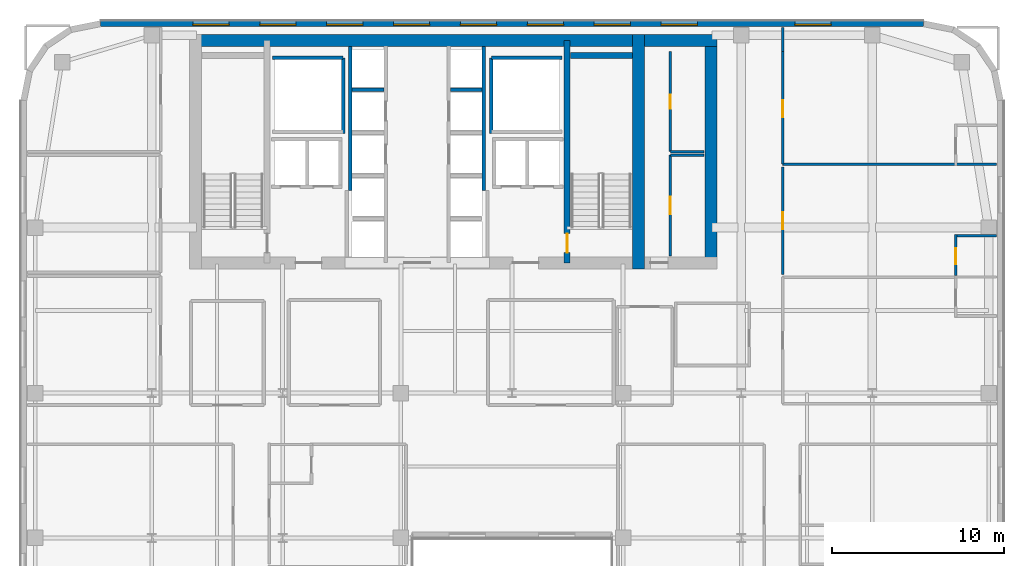
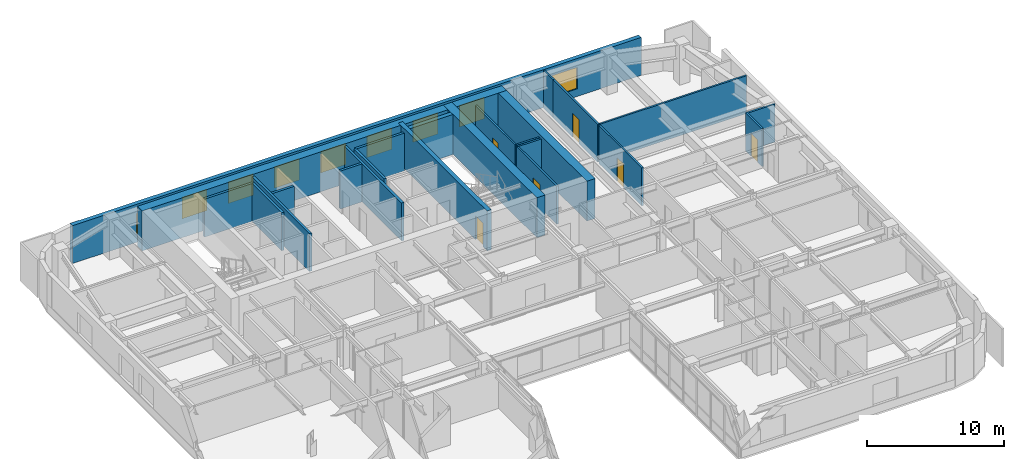
# One storey, part 18 of 24: 25 walls, 9 windows, 6 doors, 15 openings.
"""IFC4 building model written with IfcOpenShell, lengths in metres."""

import ifcopenshell
import ifcopenshell.guid

model = None  # the IFC model being written
_history = None  # IfcOwnerHistory: only IFC2X3 demands one
_inside = {}  # id of a spatial element -> (the spatial element, [elements in it])
_under = {}  # id of a project, library or spatial element -> (it, [spatial elements below it])
_declared = {}  # id of a project -> (the project, [libraries it declares])
_typed = {}  # id of a type object -> (the type object, [elements of that type])
_made_of = {}  # id of a material, layer set ... -> (it, [elements and type objects made of it])


def new_model(schema):
    """Start an empty IFC model of exactly this schema.

    Asked for "IFC4X3", IfcOpenShell would pick the latest addendum, in which some entities
    have other attributes; the version numbers below select the first issue.
    IFC2X3 requires an IfcOwnerHistory on every rooted entity: one is made here for all.
    """
    global model, _history
    if schema == "IFC4X3":
        model = ifcopenshell.file(schema_version=(4, 3, 0, 0))
    else:
        model = ifcopenshell.file(schema=schema)
    _inside.clear()
    _under.clear()
    _declared.clear()
    _typed.clear()
    _made_of.clear()
    _history = None
    if model.schema == "IFC2X3":
        org = make("IfcOrganization", Name="unknown")
        user = make(
            "IfcPersonAndOrganization",
            ThePerson=make("IfcPerson", FamilyName="unknown"),
            TheOrganization=org,
        )
        app = make(
            "IfcApplication",
            ApplicationDeveloper=org,
            Version="unknown",
            ApplicationFullName="unknown",
            ApplicationIdentifier="unknown",
        )
        _history = make(
            "IfcOwnerHistory",
            OwningUser=user,
            OwningApplication=app,
            ChangeAction="ADDED",
            CreationDate=0,
        )
    return model


def make(cls, **values):
    """One entity of the class cls with the attributes given. An attribute that is None is left unset."""
    return model.create_entity(
        cls, **{name: value for name, value in values.items() if value is not None}
    )


def rooted(cls, **values):
    """An entity with a GlobalId (a new one), such as an element, a storey or a relation."""
    return make(cls, GlobalId=ifcopenshell.guid.new(), OwnerHistory=_history, **values)


def si_unit(unit_type, name, prefix=None):
    """IfcSIUnit, for example si_unit("LENGTHUNIT", "METRE", prefix="MILLI")."""
    return make("IfcSIUnit", UnitType=unit_type, Prefix=prefix, Name=name)


def assignment(units):
    """IfcUnitAssignment: the units of a project."""
    return None if units is None else make("IfcUnitAssignment", Units=units)


def point(xyz):
    """IfcCartesianPoint."""
    return None if xyz is None else make("IfcCartesianPoint", Coordinates=xyz)


def direction(xyz):
    """IfcDirection."""
    return None if xyz is None else make("IfcDirection", DirectionRatios=xyz)


def frame(location, z_axis=None, x_axis=None):
    """IfcAxis2Placement3D, a coordinate frame: its origin and axes. An axis left out is left unset."""
    return make(
        "IfcAxis2Placement3D",
        Location=point(location),
        Axis=direction(z_axis),
        RefDirection=direction(x_axis),
    )


def frame_2d(location, x_axis=None):
    """IfcAxis2Placement2D, a coordinate frame in the plane: its origin and x axis."""
    return make(
        "IfcAxis2Placement2D", Location=point(location), RefDirection=direction(x_axis)
    )


def origin():
    """The frame at (0, 0, 0) with its axes left unset."""
    return frame((0.0, 0.0, 0.0))


def place(relative_to, where):
    """IfcLocalPlacement: puts the frame where relative to a parent placement (None: the world)."""
    return make(
        "IfcLocalPlacement", PlacementRelTo=relative_to, RelativePlacement=where
    )


def context(
    kind, dimensions, precision=None, world=None, true_north=None, identifier=None
):
    """IfcGeometricRepresentationContext, for example the 3D "Model" context."""
    return make(
        "IfcGeometricRepresentationContext",
        ContextIdentifier=identifier,
        ContextType=kind,
        CoordinateSpaceDimension=dimensions,
        Precision=precision,
        WorldCoordinateSystem=world,
        TrueNorth=true_north,
    )


def subcontext(parent, identifier, kind, view, scale=None):
    """IfcGeometricRepresentationSubContext, for example "Body" below "Model"."""
    return make(
        "IfcGeometricRepresentationSubContext",
        ContextIdentifier=identifier,
        ContextType=kind,
        ParentContext=parent,
        TargetScale=scale,
        TargetView=view,
    )


def project(units=None, contexts=None):
    """IfcProject with its units and contexts."""
    return rooted(
        "IfcProject",
        Name="project",
        RepresentationContexts=contexts,
        UnitsInContext=assignment(units),
    )


def spatial(cls, under=None, at=None, **own):
    """A site, building, storey or space (cls), placed at a placement, below another one or the project."""
    s = rooted(cls, ObjectPlacement=at, **own)
    if under is not None:
        _under.setdefault(under.id(), (under, []))[1].append(s)
    return s


def profile(cls, at=None, kind="AREA", **sizes):
    """A parametric profile (cls). Its sizes go by their IFC names, for example OverallWidth=200.0."""
    return make(cls, ProfileType=kind, Position=at, **sizes)


def rectangle(**sizes):
    """IfcRectangleProfileDef."""
    return profile("IfcRectangleProfileDef", **sizes)


def extrude(swept, where, along, depth):
    """IfcExtrudedAreaSolid: the profile swept, set in the frame where, extruded along a direction by depth."""
    return make(
        "IfcExtrudedAreaSolid",
        SweptArea=swept,
        Position=where,
        ExtrudedDirection=direction(along),
        Depth=depth,
    )


def shape(context_of_items, identifier, shape_type, items):
    """IfcShapeRepresentation: the items that make up one representation, for example the "Body"."""
    return make(
        "IfcShapeRepresentation",
        ContextOfItems=context_of_items,
        RepresentationIdentifier=identifier,
        RepresentationType=shape_type,
        Items=items,
    )


def source(mapping_origin, context_of_items, identifier, shape_type, items):
    """IfcRepresentationMap: a shape defined once, which mapped items show again and again."""
    return make(
        "IfcRepresentationMap",
        MappingOrigin=mapping_origin,
        MappedRepresentation=shape(context_of_items, identifier, shape_type, items),
    )


def transform(
    local_origin,
    x_axis=None,
    y_axis=None,
    z_axis=None,
    scale=None,
    scale2=None,
    scale3=None,
    uniform=True,
):
    """IfcCartesianTransformationOperator3D, or its non-uniform kind. x_axis, y_axis, z_axis: its Axis1, 2, 3."""
    if uniform:
        return make(
            "IfcCartesianTransformationOperator3D",
            Axis1=direction(x_axis),
            Axis2=direction(y_axis),
            LocalOrigin=point(local_origin),
            Scale=scale,
            Axis3=direction(z_axis),
        )
    return make(
        "IfcCartesianTransformationOperator3DnonUniform",
        Axis1=direction(x_axis),
        Axis2=direction(y_axis),
        LocalOrigin=point(local_origin),
        Scale=scale,
        Axis3=direction(z_axis),
        Scale2=scale2,
        Scale3=scale3,
    )


def mapped(mapping_source, mapping_target):
    """IfcMappedItem: shows the shape of a source again, moved by a transform."""
    return make(
        "IfcMappedItem", MappingSource=mapping_source, MappingTarget=mapping_target
    )


def material(Name=None, Category=None):
    """IfcMaterial."""
    return make("IfcMaterial", Name=Name, Category=Category)


def layer(
    of_material, thickness, ventilated=None, Name=None, Category=None, Priority=None
):
    """IfcMaterialLayer: one layer of a wall or slab, of a material (None: an air gap)."""
    return make(
        "IfcMaterialLayer",
        Material=of_material,
        LayerThickness=thickness,
        IsVentilated=ventilated,
        Name=Name,
        Category=Category,
        Priority=Priority,
    )


def layer_set(layers, Name=None):
    """IfcMaterialLayerSet."""
    return make("IfcMaterialLayerSet", MaterialLayers=layers, LayerSetName=Name)


def made_of(thing, what):
    """Note that an element or type object is made of a material, layer set ...; save() writes the relation."""
    if what is not None:
        _made_of.setdefault(what.id(), (what, []))[1].append(thing)
    return thing


def type_object(cls, material=None, **own):
    """A type object (cls), such as IfcWallType, which elements share."""
    return made_of(rooted(cls, **own), material)


def type_shapes(of_type, sources):
    """Give a type object the sources (RepresentationMaps) that its elements show as mapped items."""
    of_type.RepresentationMaps = sources


def element(
    cls,
    number,
    at=None,
    inside=None,
    cuts=None,
    type_object=None,
    material=None,
    context=None,
    identifier="Body",
    shape_type=None,
    held_by="IfcProductDefinitionShape",
    body=None,
    shapes=None,
    **own,
):
    """One element of the class cls, such as IfcWall. Its Tag is "e" and its number.

    at: its placement. inside: the storey or other place that contains it. cuts: it is an
    opening in that element (IfcRelVoidsElement). A single representation is given by context,
    identifier, shape_type and body (its items); several are given by shapes. held_by: the class
    of the entity that holds the representations. save() writes the other relations.
    """
    e = rooted(cls, Tag="e%d" % number, ObjectPlacement=at, **own)
    if body is not None:
        shapes = [shape(context, identifier, shape_type, body)]
    if shapes is not None:
        e.Representation = make(held_by, Representations=shapes)
    if inside is not None:
        _inside.setdefault(inside.id(), (inside, []))[1].append(e)
    if cuts is not None:
        rooted(
            "IfcRelVoidsElement", RelatingBuildingElement=cuts, RelatedOpeningElement=e
        )
    if type_object is not None:
        _typed.setdefault(type_object.id(), (type_object, []))[1].append(e)
    return made_of(e, material)


def fill(opening, filler):
    """IfcRelFillsElement: the door or window that sits in an opening."""
    return rooted(
        "IfcRelFillsElement",
        RelatingOpeningElement=opening,
        RelatedBuildingElement=filler,
    )


def aggregate(whole, parts):
    """IfcRelAggregates: a whole, such as a stair, and the parts it consists of."""
    return rooted("IfcRelAggregates", RelatingObject=whole, RelatedObjects=parts)


def save(model, path):
    """Write the relations noted so far, then the file.

    IfcRelAggregates (storeys below a building ...), IfcRelContainedInSpatialStructure (elements
    in a storey), IfcRelDefinesByType, IfcRelAssociatesMaterial and IfcRelDeclares: one each for
    every whole, place, type object, material and project.
    """
    for whole, parts in _under.values():
        aggregate(whole, parts)
    for where, things in _inside.values():
        rooted(
            "IfcRelContainedInSpatialStructure",
            RelatedElements=things,
            RelatingStructure=where,
        )
    for kind, things in _typed.values():
        rooted("IfcRelDefinesByType", RelatedObjects=things, RelatingType=kind)
    for what, things in _made_of.values():
        rooted("IfcRelAssociatesMaterial", RelatedObjects=things, RelatingMaterial=what)
    for by, libraries in _declared.values():
        rooted("IfcRelDeclares", RelatingContext=by, RelatedDefinitions=libraries)
    model.write(path)


model = new_model("IFC4")

# Units and contexts
model_context = context("Model", 3, precision=1e-05, world=origin(), true_north=direction((0.0, 1.0)))
body_context = subcontext(model_context, "Body", "Model", "MODEL_VIEW")
ifc_project = project(units=[si_unit("LENGTHUNIT", "METRE"), si_unit("AREAUNIT", "SQUARE_METRE"), si_unit("VOLUMEUNIT", "CUBIC_METRE"), si_unit("PLANEANGLEUNIT", "RADIAN"), si_unit("MASSUNIT", "GRAM", prefix="KILO")], contexts=[model_context])

# Site, building, storey
site_placement = place(None, origin())
site = spatial("IfcSite", under=ifc_project, at=site_placement, CompositionType="ELEMENT")
building_placement = place(site_placement, origin())
building = spatial("IfcBuilding", under=site, at=building_placement, Name="Tolvann Quenvar Hotel", CompositionType="ELEMENT")
storey_placement = place(building_placement, frame((0.0, 0.0, 139.949951171875)))
storey = spatial("IfcBuildingStorey", under=building, at=storey_placement, Name="L36", CompositionType="ELEMENT", Elevation=139.949951171875)

# Walls
ifc_material_1 = material(Name="Concrete S65 (65 MPa)", Category="concrete")
ifc_layer_1 = layer(ifc_material_1, 0.699951171875)
ifc_layer_set_1 = layer_set([ifc_layer_1], Name="Concrete S65 (65 MPa)")
wall_type_1 = type_object("IfcWallType", Name="WALL_CORE_700", PredefinedType="SHEAR", material=ifc_layer_set_1)
wall_1_placement = place(storey_placement, frame((9.800048828125, 44.85009765625, 0.0), z_axis=(0.0, 0.0, 1.0), x_axis=(1.0, 0.0, 0.0)))
element("IfcWall", 1, at=wall_1_placement, inside=storey, type_object=wall_type_1, Name="Rear Core N Shear Wall (L36)", PredefinedType="SHEAR", context=body_context, shape_type="SweptSolid", body=[
    extrude(rectangle(XDim=26.39990234375, YDim=0.699951171875, at=frame_2d((13.199951171875, 0.0))), origin(), (0.0, 0.0, 1.0), 3.550048828125),
])
wall_2_placement = place(storey_placement, frame((35.85009765625, 31.60009765625, 0.0), z_axis=(0.0, 0.0, 1.0), x_axis=(0.0, 1.0, 0.0)))
element("IfcWall", 2, at=wall_2_placement, inside=storey, type_object=wall_type_1, Name="Rear Core E Shear Wall (L36)", PredefinedType="SHEAR", context=body_context, shape_type="SweptSolid", body=[
    extrude(rectangle(XDim=13.599853515625, YDim=0.699951171875, at=frame_2d((6.7998046875, 0.0))), origin(), (0.0, 0.0, 1.0), 3.550048828125),
])
wall_3_placement = place(storey_placement, frame((36.199951171875, 44.85009765625, 0.0), z_axis=(0.0, 0.0, 1.0), x_axis=(1.0, 0.0, 0.0)))
element("IfcWall", 3, at=wall_3_placement, inside=storey, type_object=wall_type_1, Name="Core East Annex Shear Wall ANN-N (L36)", PredefinedType="SHEAR", context=body_context, shape_type="SweptSolid", body=[
    extrude(rectangle(XDim=4.199951171875, YDim=0.699951171875, at=frame_2d((2.10009765625, 0.0))), origin(), (0.0, 0.0, 1.0), 3.550048828125),
])
wall_4_placement = place(storey_placement, frame((40.050048828125, 31.60009765625, 0.0), z_axis=(0.0, 0.0, 1.0), x_axis=(0.0, 1.0, 0.0)))
element("IfcWall", 4, at=wall_4_placement, inside=storey, type_object=wall_type_1, Name="Core East Annex Shear Wall ANN-E (L36)", PredefinedType="SHEAR", context=body_context, shape_type="SweptSolid", body=[
    extrude(rectangle(XDim=13.599853515625, YDim=0.699951171875, at=frame_2d((6.7998046875, 0.0))), origin(), (0.0, 0.0, 1.0), 3.550048828125),
])

# Wall, opening, door
ifc_layer_2 = layer(ifc_material_1, 0.35009765625)
ifc_layer_set_2 = layer_set([ifc_layer_2], Name="Concrete S65 (65 MPa)")
wall_type_2 = type_object("IfcWallType", Name="WALL_CORE_INT_350", PredefinedType="SHEAR", material=ifc_layer_set_2)
wall_5_placement = place(storey_placement, frame((31.699951171875, 31.949951171875, 0.0), z_axis=(0.0, 0.0, 1.0), x_axis=(0.0, 1.0, 0.0)))
wall_5 = element("IfcWall", 5, at=wall_5_placement, inside=storey, type_object=wall_type_2, Name="Core Internal Web Shear Wall WEB-E (L36)", PredefinedType="SHEAR", context=body_context, shape_type="SweptSolid", body=[
    extrude(rectangle(XDim=12.900146484375, YDim=0.35009765625, at=frame_2d((6.4501953125, 0.0))), origin(), (0.0, 0.0, 1.0), 3.550048828125),
])
opening_1_placement = place(wall_5_placement, frame((1.7001953125, 0.0, 0.0), z_axis=(0.0, 0.0, 1.0), x_axis=(-1.0, 0.0, 0.0)))
opening_1 = element("IfcOpeningElement", 6, at=opening_1_placement, cuts=wall_5, Name="Opening FD-120", PredefinedType="OPENING", context=body_context, shape_type="SweptSolid", body=[
    extrude(rectangle(XDim=1.10009765625, YDim=2.1201171875, at=frame_2d((0.550048828125, 1.06005859375))), frame((0.0, 0.18505859375, 0.0), z_axis=(0.0, -1.0, 0.0), x_axis=(1.0, 0.0, 0.0)), (0.0, 0.0, 1.0), 0.3701171875),
])
ifc_material_2 = material(Name="Pressed galvanised steel fire-rated door set", Category="steel")
door_type_1 = type_object("IfcDoorType", Name="DOOR_FIRE_STAIR_1100", OperationType="NOTDEFINED", PredefinedType="DOOR", material=ifc_material_2)
shared_shape_1 = source(origin(), body_context, "Body", "SweptSolid", [
    extrude(rectangle(XDim=1.10009765625, YDim=2.1201171875, at=frame_2d((0.550048828125, 1.06005859375))), frame((0.0, 0.02490234375, 0.0), z_axis=(0.0, -1.0, 0.0), x_axis=(1.0, 0.0, 0.0)), (0.0, 0.0, 1.0), 0.050048828125),
])
type_shapes(door_type_1, [shared_shape_1])
door_1_placement = place(opening_1_placement, origin())
door_1 = element("IfcDoor", 7, at=door_1_placement, inside=storey, type_object=door_type_1, Name="Exit Stair ST-C2 Fire Door (L36)", OperationType="SINGLE_SWING_LEFT", OverallHeight=2.1201171875, OverallWidth=1.10009765625, PredefinedType="DOOR", context=body_context, shape_type="MappedRepresentation", body=[
    mapped(shared_shape_1, transform((0.0, 0.0, 0.0), x_axis=(1.0, 0.0, 0.0), y_axis=(0.0, 1.0, 0.0), z_axis=(0.0, 0.0, 1.0), scale=1.0)),
])
fill(opening_1, door_1)

# Wall
wall_6_placement = place(storey_placement, frame((31.8798828125, 43.97509765625, 0.0), z_axis=(0.0, 0.0, 1.0), x_axis=(1.0, 0.0, 0.0)))
element("IfcWall", 8, at=wall_6_placement, inside=storey, type_object=wall_type_2, Name="Core Stair North Closing Shear Wall STC2-N (L36)", PredefinedType="SHEAR", context=body_context, shape_type="SweptSolid", body=[
    extrude(rectangle(XDim=3.60009765625, YDim=0.35009765625, at=frame_2d((1.800048828125, 0.0))), origin(), (0.0, 0.0, 1.0), 3.550048828125),
])

# Wall, openings, windows
ifc_material_3 = material(Name="Kiln-fired red and buff architectural clay brickwork and terracotta masonry", Category="masonry")
ifc_layer_3 = layer(ifc_material_3, 0.35009765625)
ifc_layer_set_3 = layer_set([ifc_layer_3], Name="Kiln-fired red and buff architectural clay brickwork and terracotta masonry")
wall_type_3 = type_object("IfcWallType", Name="WALL_EXT_BRICK_350", PredefinedType="SOLIDWALL", material=ifc_layer_set_3)
wall_7_placement = place(storey_placement, frame((52.3828125, 45.824951171875, 0.0), z_axis=(0.0, 0.0, 1.0), x_axis=(-1.0, 0.0, 0.0)))
wall_7 = element("IfcWall", 9, at=wall_7_placement, inside=storey, type_object=wall_type_3, Name="Exterior Chicago Brick Wall L36-E18", PredefinedType="SOLIDWALL", context=body_context, shape_type="SweptSolid", body=[
    extrude(rectangle(XDim=47.765625, YDim=0.35009765625, at=frame_2d((23.8828125, 0.0))), origin(), (0.0, 0.0, 1.0), 3.3701171875),
])
opening_2_placement = place(wall_7_placement, frame((5.37109375, 0.0, 0.679931640625)))
opening_2 = element("IfcOpeningElement", 10, at=opening_2_placement, cuts=wall_7, Name="Opening W-02", PredefinedType="OPENING", context=body_context, shape_type="SweptSolid", body=[
    extrude(rectangle(XDim=2.10009765625, YDim=1.89990234375, at=frame_2d((1.050048828125, 0.949951171875))), frame((0.0, 0.18505859375, 0.0), z_axis=(0.0, -1.0, 0.0), x_axis=(1.0, 0.0, 0.0)), (0.0, 0.0, 1.0), 0.3701171875),
])
opening_3_placement = place(wall_7_placement, frame((13.132080078125, 0.0, 0.679931640625)))
opening_3 = element("IfcOpeningElement", 11, at=opening_3_placement, cuts=wall_7, Name="Opening W-02", PredefinedType="OPENING", context=body_context, shape_type="SweptSolid", body=[
    extrude(rectangle(XDim=2.10009765625, YDim=1.89990234375, at=frame_2d((1.050048828125, 0.949951171875))), frame((0.0, 0.18505859375, 0.0), z_axis=(0.0, -1.0, 0.0), x_axis=(1.0, 0.0, 0.0)), (0.0, 0.0, 1.0), 0.3701171875),
])
opening_4_placement = place(wall_7_placement, frame((17.011962890625, 0.0, 0.679931640625)))
opening_4 = element("IfcOpeningElement", 12, at=opening_4_placement, cuts=wall_7, Name="Opening W-02", PredefinedType="OPENING", context=body_context, shape_type="SweptSolid", body=[
    extrude(rectangle(XDim=2.10009765625, YDim=1.89990234375, at=frame_2d((1.050048828125, 0.949951171875))), frame((0.0, 0.18505859375, 0.0), z_axis=(0.0, -1.0, 0.0), x_axis=(1.0, 0.0, 0.0)), (0.0, 0.0, 1.0), 0.3701171875),
])
opening_5_placement = place(wall_7_placement, frame((20.89306640625, 0.0, 0.679931640625)))
opening_5 = element("IfcOpeningElement", 13, at=opening_5_placement, cuts=wall_7, Name="Opening W-02", PredefinedType="OPENING", context=body_context, shape_type="SweptSolid", body=[
    extrude(rectangle(XDim=2.10009765625, YDim=1.89990234375, at=frame_2d((1.050048828125, 0.949951171875))), frame((0.0, 0.18505859375, 0.0), z_axis=(0.0, -1.0, 0.0), x_axis=(1.0, 0.0, 0.0)), (0.0, 0.0, 1.0), 0.3701171875),
])
opening_6_placement = place(wall_7_placement, frame((24.77294921875, 0.0, 0.679931640625)))
opening_6 = element("IfcOpeningElement", 14, at=opening_6_placement, cuts=wall_7, Name="Opening W-02", PredefinedType="OPENING", context=body_context, shape_type="SweptSolid", body=[
    extrude(rectangle(XDim=2.10009765625, YDim=1.89990234375, at=frame_2d((1.050048828125, 0.949951171875))), frame((0.0, 0.18505859375, 0.0), z_axis=(0.0, -1.0, 0.0), x_axis=(1.0, 0.0, 0.0)), (0.0, 0.0, 1.0), 0.3701171875),
])
opening_7_placement = place(wall_7_placement, frame((28.654052734375, 0.0, 0.679931640625)))
opening_7 = element("IfcOpeningElement", 15, at=opening_7_placement, cuts=wall_7, Name="Opening W-02", PredefinedType="OPENING", context=body_context, shape_type="SweptSolid", body=[
    extrude(rectangle(XDim=2.10009765625, YDim=1.89990234375, at=frame_2d((1.050048828125, 0.949951171875))), frame((0.0, 0.18505859375, 0.0), z_axis=(0.0, -1.0, 0.0), x_axis=(1.0, 0.0, 0.0)), (0.0, 0.0, 1.0), 0.3701171875),
])
opening_8_placement = place(wall_7_placement, frame((32.533935546875, 0.0, 0.679931640625)))
opening_8 = element("IfcOpeningElement", 16, at=opening_8_placement, cuts=wall_7, Name="Opening W-02", PredefinedType="OPENING", context=body_context, shape_type="SweptSolid", body=[
    extrude(rectangle(XDim=2.10009765625, YDim=1.89990234375, at=frame_2d((1.050048828125, 0.949951171875))), frame((0.0, 0.18505859375, 0.0), z_axis=(0.0, -1.0, 0.0), x_axis=(1.0, 0.0, 0.0)), (0.0, 0.0, 1.0), 0.3701171875),
])
opening_9_placement = place(wall_7_placement, frame((36.4140625, 0.0, 0.679931640625)))
opening_9 = element("IfcOpeningElement", 17, at=opening_9_placement, cuts=wall_7, Name="Opening W-02", PredefinedType="OPENING", context=body_context, shape_type="SweptSolid", body=[
    extrude(rectangle(XDim=2.10009765625, YDim=1.89990234375, at=frame_2d((1.050048828125, 0.949951171875))), frame((0.0, 0.18505859375, 0.0), z_axis=(0.0, -1.0, 0.0), x_axis=(1.0, 0.0, 0.0)), (0.0, 0.0, 1.0), 0.3701171875),
])
opening_10_placement = place(wall_7_placement, frame((40.294921875, 0.0, 0.679931640625)))
opening_10 = element("IfcOpeningElement", 18, at=opening_10_placement, cuts=wall_7, Name="Opening W-02", PredefinedType="OPENING", context=body_context, shape_type="SweptSolid", body=[
    extrude(rectangle(XDim=2.10009765625, YDim=1.89990234375, at=frame_2d((1.050048828125, 0.949951171875))), frame((0.0, 0.18505859375, 0.0), z_axis=(0.0, -1.0, 0.0), x_axis=(1.0, 0.0, 0.0)), (0.0, 0.0, 1.0), 0.3701171875),
])
ifc_material_4 = material(Name="Thermally broken bronze-anodised aluminium frame with double low-E glazing", Category="aluminium")
window_type = type_object("IfcWindowType", Name="WIN_CHI_2100x2050", PartitioningType="TRIPLE_PANEL_HORIZONTAL", PredefinedType="WINDOW", material=ifc_material_4)
shared_shape_2 = source(origin(), body_context, "Body", "SweptSolid", [
    extrude(rectangle(XDim=2.10009765625, YDim=1.89990234375, at=frame_2d((1.050048828125, 0.949951171875))), frame((0.0, 0.090087890625, 0.0), z_axis=(0.0, -1.0, 0.0), x_axis=(1.0, 0.0, 0.0)), (0.0, 0.0, 1.0), 0.06005859375),
])
type_shapes(window_type, [shared_shape_2])
window_1_placement = place(opening_2_placement, origin())
window_1 = element("IfcWindow", 19, at=window_1_placement, inside=storey, type_object=window_type, Name="Chicago Window W-02 (EW-L36-E18-W01)", OverallHeight=1.89990234375, OverallWidth=2.10009765625, PartitioningType="TRIPLE_PANEL_HORIZONTAL", PredefinedType="WINDOW", context=body_context, shape_type="MappedRepresentation", body=[
    mapped(shared_shape_2, transform((0.0, 0.0, 0.0), x_axis=(1.0, 0.0, 0.0), y_axis=(0.0, 1.0, 0.0), z_axis=(0.0, 0.0, 1.0), scale=1.0)),
])
fill(opening_2, window_1)
window_2_placement = place(opening_3_placement, origin())
window_2 = element("IfcWindow", 20, at=window_2_placement, inside=storey, type_object=window_type, Name="Chicago Window W-02 (EW-L36-E18-W02)", OverallHeight=1.89990234375, OverallWidth=2.10009765625, PartitioningType="TRIPLE_PANEL_HORIZONTAL", PredefinedType="WINDOW", context=body_context, shape_type="MappedRepresentation", body=[
    mapped(shared_shape_2, transform((0.0, 0.0, 0.0), x_axis=(1.0, 0.0, 0.0), y_axis=(0.0, 1.0, 0.0), z_axis=(0.0, 0.0, 1.0), scale=1.0)),
])
fill(opening_3, window_2)
window_3_placement = place(opening_4_placement, origin())
window_3 = element("IfcWindow", 21, at=window_3_placement, inside=storey, type_object=window_type, Name="Chicago Window W-02 (EW-L36-E18-W03)", OverallHeight=1.89990234375, OverallWidth=2.10009765625, PartitioningType="TRIPLE_PANEL_HORIZONTAL", PredefinedType="WINDOW", context=body_context, shape_type="MappedRepresentation", body=[
    mapped(shared_shape_2, transform((0.0, 0.0, 0.0), x_axis=(1.0, 0.0, 0.0), y_axis=(0.0, 1.0, 0.0), z_axis=(0.0, 0.0, 1.0), scale=1.0)),
])
fill(opening_4, window_3)
window_4_placement = place(opening_5_placement, origin())
window_4 = element("IfcWindow", 22, at=window_4_placement, inside=storey, type_object=window_type, Name="Chicago Window W-02 (EW-L36-E18-W04)", OverallHeight=1.89990234375, OverallWidth=2.10009765625, PartitioningType="TRIPLE_PANEL_HORIZONTAL", PredefinedType="WINDOW", context=body_context, shape_type="MappedRepresentation", body=[
    mapped(shared_shape_2, transform((0.0, 0.0, 0.0), x_axis=(1.0, 0.0, 0.0), y_axis=(0.0, 1.0, 0.0), z_axis=(0.0, 0.0, 1.0), scale=1.0)),
])
fill(opening_5, window_4)
window_5_placement = place(opening_6_placement, origin())
window_5 = element("IfcWindow", 23, at=window_5_placement, inside=storey, type_object=window_type, Name="Chicago Window W-02 (EW-L36-E18-W05)", OverallHeight=1.89990234375, OverallWidth=2.10009765625, PartitioningType="TRIPLE_PANEL_HORIZONTAL", PredefinedType="WINDOW", context=body_context, shape_type="MappedRepresentation", body=[
    mapped(shared_shape_2, transform((0.0, 0.0, 0.0), x_axis=(1.0, 0.0, 0.0), y_axis=(0.0, 1.0, 0.0), z_axis=(0.0, 0.0, 1.0), scale=1.0)),
])
fill(opening_6, window_5)
window_6_placement = place(opening_7_placement, origin())
window_6 = element("IfcWindow", 24, at=window_6_placement, inside=storey, type_object=window_type, Name="Chicago Window W-02 (EW-L36-E18-W06)", OverallHeight=1.89990234375, OverallWidth=2.10009765625, PartitioningType="TRIPLE_PANEL_HORIZONTAL", PredefinedType="WINDOW", context=body_context, shape_type="MappedRepresentation", body=[
    mapped(shared_shape_2, transform((0.0, 0.0, 0.0), x_axis=(1.0, 0.0, 0.0), y_axis=(0.0, 1.0, 0.0), z_axis=(0.0, 0.0, 1.0), scale=1.0)),
])
fill(opening_7, window_6)
window_7_placement = place(opening_8_placement, origin())
window_7 = element("IfcWindow", 25, at=window_7_placement, inside=storey, type_object=window_type, Name="Chicago Window W-02 (EW-L36-E18-W07)", OverallHeight=1.89990234375, OverallWidth=2.10009765625, PartitioningType="TRIPLE_PANEL_HORIZONTAL", PredefinedType="WINDOW", context=body_context, shape_type="MappedRepresentation", body=[
    mapped(shared_shape_2, transform((0.0, 0.0, 0.0), x_axis=(1.0, 0.0, 0.0), y_axis=(0.0, 1.0, 0.0), z_axis=(0.0, 0.0, 1.0), scale=1.0)),
])
fill(opening_8, window_7)
window_8_placement = place(opening_9_placement, origin())
window_8 = element("IfcWindow", 26, at=window_8_placement, inside=storey, type_object=window_type, Name="Chicago Window W-02 (EW-L36-E18-W08)", OverallHeight=1.89990234375, OverallWidth=2.10009765625, PartitioningType="TRIPLE_PANEL_HORIZONTAL", PredefinedType="WINDOW", context=body_context, shape_type="MappedRepresentation", body=[
    mapped(shared_shape_2, transform((0.0, 0.0, 0.0), x_axis=(1.0, 0.0, 0.0), y_axis=(0.0, 1.0, 0.0), z_axis=(0.0, 0.0, 1.0), scale=1.0)),
])
fill(opening_9, window_8)
window_9_placement = place(opening_10_placement, origin())
window_9 = element("IfcWindow", 27, at=window_9_placement, inside=storey, type_object=window_type, Name="Chicago Window W-02 (EW-L36-E18-W09)", OverallHeight=1.89990234375, OverallWidth=2.10009765625, PartitioningType="TRIPLE_PANEL_HORIZONTAL", PredefinedType="WINDOW", context=body_context, shape_type="MappedRepresentation", body=[
    mapped(shared_shape_2, transform((0.0, 0.0, 0.0), x_axis=(1.0, 0.0, 0.0), y_axis=(0.0, 1.0, 0.0), z_axis=(0.0, 0.0, 1.0), scale=1.0)),
])
fill(opening_10, window_9)

# Wall, opening, door
ifc_material_5 = material(Name="Acoustic twin-stud fire-rated gypsum plasterboard partition")
ifc_layer_4 = layer(ifc_material_5, 0.14990234375)
ifc_layer_set_4 = layer_set([ifc_layer_4], Name="Acoustic twin-stud fire-rated gypsum plasterboard partition")
wall_type_4 = type_object("IfcWallType", Name="WALL_PART_SUITE_150", PredefinedType="PARTITIONING", material=ifc_layer_set_4)
wall_8_placement = place(storey_placement, frame((54.25, 31.2099609375, 0.0), z_axis=(0.0, 0.0, 1.0), x_axis=(0.0, 1.0, 0.0)))
wall_8 = element("IfcWall", 28, at=wall_8_placement, inside=storey, type_object=wall_type_4, Name="Interior Partition PT-SPC-L36-ENS-NE02-ENT", PredefinedType="PARTITIONING", context=body_context, shape_type="SweptSolid", body=[
    extrude(rectangle(XDim=2.39013671875, YDim=0.14990234375, at=frame_2d((1.195068359375, 0.0))), origin(), (0.0, 0.0, 1.0), 3.3701171875),
])
opening_11_placement = place(wall_8_placement, frame((0.6650390625, 0.0, 0.0)))
opening_11 = element("IfcOpeningElement", 29, at=opening_11_placement, cuts=wall_8, Name="Opening WD-01", PredefinedType="OPENING", context=body_context, shape_type="SweptSolid", body=[
    extrude(rectangle(XDim=0.919921875, YDim=2.010009765625, at=frame_2d((0.4599609375, 1.0048828125))), frame((0.0, 0.0849609375, 0.0), z_axis=(0.0, -1.0, 0.0), x_axis=(1.0, 0.0, 0.0)), (0.0, 0.0, 1.0), 0.169921875),
])
ifc_material_6 = material(Name="Solid-core American oak acoustic fire door leaf in steel frame", Category="steel")
door_type_2 = type_object("IfcDoorType", Name="DOOR_WC_920", OperationType="NOTDEFINED", PredefinedType="DOOR", material=ifc_material_6)
shared_shape_3 = source(origin(), body_context, "Body", "SweptSolid", [
    extrude(rectangle(XDim=0.919921875, YDim=2.010009765625, at=frame_2d((0.4599609375, 1.0048828125))), frame((0.0, 0.02490234375, 0.0), z_axis=(0.0, -1.0, 0.0), x_axis=(1.0, 0.0, 0.0)), (0.0, 0.0, 1.0), 0.050048828125),
])
type_shapes(door_type_2, [shared_shape_3])
door_2_placement = place(opening_11_placement, origin())
door_2 = element("IfcDoor", 30, at=door_2_placement, inside=storey, type_object=door_type_2, Name="Interior Door DOOR-SPC-L36-ENS-NE02", OperationType="SINGLE_SWING_LEFT", OverallHeight=2.010009765625, OverallWidth=0.919921875, PredefinedType="DOOR", context=body_context, shape_type="MappedRepresentation", body=[
    mapped(shared_shape_3, transform((0.0, 0.0, 0.0), x_axis=(1.0, 0.0, 0.0), y_axis=(0.0, 1.0, 0.0), z_axis=(0.0, 0.0, 1.0), scale=1.0)),
])
fill(opening_11, door_2)

# Walls
wall_9_placement = place(storey_placement, frame((54.179931640625, 33.530029296875, 0.0), z_axis=(0.0, 0.0, 1.0), x_axis=(1.0, 0.0, 0.0)))
element("IfcWall", 31, at=wall_9_placement, inside=storey, type_object=wall_type_4, Name="Interior Partition PT-SPC-L36-ENS-NE02-N", PredefinedType="PARTITIONING", context=body_context, shape_type="SweptSolid", body=[
    extrude(rectangle(XDim=2.4150390625, YDim=0.14990234375, at=frame_2d((1.20751953125, 0.0))), origin(), (0.0, 0.0, 1.0), 3.3701171875),
])
wall_10_placement = place(storey_placement, frame((44.199951171875, 37.679931640625, 0.0), z_axis=(0.0, 0.0, 1.0), x_axis=(1.0, 0.0, 0.0)))
element("IfcWall", 32, at=wall_10_placement, inside=storey, type_object=wall_type_4, Name="Interior Partition PT-SPC-L36-ENS-NE03-S", PredefinedType="PARTITIONING", context=body_context, shape_type="SweptSolid", body=[
    extrude(rectangle(XDim=12.39501953125, YDim=0.14990234375, at=frame_2d((6.197509765625, 0.0))), origin(), (0.0, 0.0, 1.0), 3.3701171875),
])
wall_11_placement = place(storey_placement, frame((37.679931640625, 38.199951171875, 0.0), z_axis=(0.0, 0.0, 1.0), x_axis=(1.0, 0.0, 0.0)))
element("IfcWall", 33, at=wall_11_placement, inside=storey, type_object=wall_type_4, Name="Interior Partition PT-SPC-L36-RECPL-1-N", PredefinedType="PARTITIONING", context=body_context, shape_type="SweptSolid", body=[
    extrude(rectangle(XDim=1.965087890625, YDim=0.14990234375, at=frame_2d((0.982421875, 0.0))), origin(), (0.0, 0.0, 1.0), 3.3701171875),
])

# Wall, opening, door
wall_12_placement = place(storey_placement, frame((37.679931640625, 32.35498046875, 0.0), z_axis=(0.0, 0.0, 1.0), x_axis=(0.0, 1.0, 0.0)))
wall_12 = element("IfcWall", 34, at=wall_12_placement, inside=storey, type_object=wall_type_4, Name="Interior Partition PT-SPC-L36-RECPL-1-W", PredefinedType="PARTITIONING", context=body_context, shape_type="SweptSolid", body=[
    extrude(rectangle(XDim=5.844970703125, YDim=0.14990234375, at=frame_2d((2.92236328125, 0.0))), origin(), (0.0, 0.0, 1.0), 3.3701171875),
])
opening_12_placement = place(wall_12_placement, frame((2.41259765625, 0.0, 0.0)))
opening_12 = element("IfcOpeningElement", 35, at=opening_12_placement, cuts=wall_12, Name="Opening HD-01", PredefinedType="OPENING", context=body_context, shape_type="SweptSolid", body=[
    extrude(rectangle(XDim=1.02001953125, YDim=2.030029296875, at=frame_2d((0.510009765625, 1.01513671875))), frame((0.0, 0.0849609375, 0.0), z_axis=(0.0, -1.0, 0.0), x_axis=(1.0, 0.0, 0.0)), (0.0, 0.0, 1.0), 0.169921875),
])
door_type_3 = type_object("IfcDoorType", Name="DOOR_BOH_1020", OperationType="NOTDEFINED", PredefinedType="DOOR", material=ifc_material_2)
shared_shape_4 = source(origin(), body_context, "Body", "SweptSolid", [
    extrude(rectangle(XDim=1.02001953125, YDim=2.030029296875, at=frame_2d((0.510009765625, 1.01513671875))), frame((0.0, 0.02490234375, 0.0), z_axis=(0.0, -1.0, 0.0), x_axis=(1.0, 0.0, 0.0)), (0.0, 0.0, 1.0), 0.050048828125),
])
type_shapes(door_type_3, [shared_shape_4])
door_3_placement = place(opening_12_placement, origin())
door_3 = element("IfcDoor", 36, at=door_3_placement, inside=storey, type_object=door_type_3, Name="Interior Door DOOR-SPC-L36-RECPL-1", OperationType="SINGLE_SWING_LEFT", OverallHeight=2.030029296875, OverallWidth=1.02001953125, PredefinedType="DOOR", context=body_context, shape_type="MappedRepresentation", body=[
    mapped(shared_shape_4, transform((0.0, 0.0, 0.0), x_axis=(1.0, 0.0, 0.0), y_axis=(0.0, 1.0, 0.0), z_axis=(0.0, 0.0, 1.0), scale=1.0)),
])
fill(opening_12, door_3)

# Wall
wall_13_placement = place(storey_placement, frame((37.679931640625, 38.39990234375, 0.0), z_axis=(0.0, 0.0, 1.0), x_axis=(1.0, 0.0, 0.0)))
element("IfcWall", 37, at=wall_13_placement, inside=storey, type_object=wall_type_4, Name="Interior Partition PT-SPC-L36-CSE-1-S", PredefinedType="PARTITIONING", context=body_context, shape_type="SweptSolid", body=[
    extrude(rectangle(XDim=1.965087890625, YDim=0.14990234375, at=frame_2d((0.982421875, 0.0))), origin(), (0.0, 0.0, 1.0), 3.3701171875),
])

# Wall, opening, door
wall_14_placement = place(storey_placement, frame((37.679931640625, 38.39990234375, 0.0), z_axis=(0.0, 0.0, 1.0), x_axis=(0.0, 1.0, 0.0)))
wall_14 = element("IfcWall", 38, at=wall_14_placement, inside=storey, type_object=wall_type_4, Name="Interior Partition PT-SPC-L36-CSE-1-W", PredefinedType="PARTITIONING", context=body_context, shape_type="SweptSolid", body=[
    extrude(rectangle(XDim=5.800048828125, YDim=0.14990234375, at=frame_2d((2.89990234375, 0.0))), origin(), (0.0, 0.0, 1.0), 3.3701171875),
])
opening_13_placement = place(wall_14_placement, frame((2.489990234375, 0.0, 0.0)))
opening_13 = element("IfcOpeningElement", 39, at=opening_13_placement, cuts=wall_14, Name="Opening HD-02", PredefinedType="OPENING", context=body_context, shape_type="SweptSolid", body=[
    extrude(rectangle(XDim=0.820068359375, YDim=2.010009765625, at=frame_2d((0.41015625, 1.0048828125))), frame((0.0, 0.0849609375, 0.0), z_axis=(0.0, -1.0, 0.0), x_axis=(1.0, 0.0, 0.0)), (0.0, 0.0, 1.0), 0.169921875),
])
door_type_4 = type_object("IfcDoorType", Name="DOOR_STORE_820", OperationType="NOTDEFINED", PredefinedType="DOOR", material=ifc_material_2)
shared_shape_5 = source(origin(), body_context, "Body", "SweptSolid", [
    extrude(rectangle(XDim=0.820068359375, YDim=2.010009765625, at=frame_2d((0.41015625, 1.0048828125))), frame((0.0, 0.02490234375, 0.0), z_axis=(0.0, -1.0, 0.0), x_axis=(1.0, 0.0, 0.0)), (0.0, 0.0, 1.0), 0.050048828125),
])
type_shapes(door_type_4, [shared_shape_5])
door_4_placement = place(opening_13_placement, origin())
door_4 = element("IfcDoor", 40, at=door_4_placement, inside=storey, type_object=door_type_4, Name="Interior Door DOOR-SPC-L36-CSE-1", OperationType="SINGLE_SWING_RIGHT", OverallHeight=2.010009765625, OverallWidth=0.820068359375, PredefinedType="DOOR", context=body_context, shape_type="MappedRepresentation", body=[
    mapped(shared_shape_5, transform((0.0, 0.0, 0.0), x_axis=(1.0, 0.0, 0.0), y_axis=(0.0, 1.0, 0.0), z_axis=(0.0, 0.0, 1.0), scale=1.0)),
])
fill(opening_13, door_4)

wall_15_placement = place(storey_placement, frame((44.199951171875, 31.280029296875, 0.0), z_axis=(0.0, 0.0, 1.0), x_axis=(0.0, 1.0, 0.0)))
wall_15 = element("IfcWall", 41, at=wall_15_placement, inside=storey, type_object=wall_type_4, Name="Interior Partition PT-SPC-L36-RM-NE02-ENT", PredefinedType="PARTITIONING", context=body_context, shape_type="SweptSolid", body=[
    extrude(rectangle(XDim=6.239990234375, YDim=0.14990234375, at=frame_2d((3.1201171875, 0.0))), origin(), (0.0, 0.0, 1.0), 3.3701171875),
])
opening_14_placement = place(wall_15_placement, frame((2.6298828125, 0.0, 0.0)))
opening_14 = element("IfcOpeningElement", 42, at=opening_14_placement, cuts=wall_15, Name="Opening SD-01", PredefinedType="OPENING", context=body_context, shape_type="SweptSolid", body=[
    extrude(rectangle(XDim=0.97998046875, YDim=2.1201171875, at=frame_2d((0.489990234375, 1.06005859375))), frame((0.0, 0.0849609375, 0.0), z_axis=(0.0, -1.0, 0.0), x_axis=(1.0, 0.0, 0.0)), (0.0, 0.0, 1.0), 0.169921875),
])
door_type_5 = type_object("IfcDoorType", Name="DOOR_SUITE_980", OperationType="NOTDEFINED", PredefinedType="DOOR", material=ifc_material_6)
shared_shape_6 = source(origin(), body_context, "Body", "SweptSolid", [
    extrude(rectangle(XDim=0.97998046875, YDim=2.1201171875, at=frame_2d((0.489990234375, 1.06005859375))), frame((0.0, 0.02490234375, 0.0), z_axis=(0.0, -1.0, 0.0), x_axis=(1.0, 0.0, 0.0)), (0.0, 0.0, 1.0), 0.050048828125),
])
type_shapes(door_type_5, [shared_shape_6])
door_5_placement = place(opening_14_placement, origin())
door_5 = element("IfcDoor", 43, at=door_5_placement, inside=storey, type_object=door_type_5, Name="Interior Door DOOR-SPC-L36-RM-NE02", OperationType="SINGLE_SWING_RIGHT", OverallHeight=2.1201171875, OverallWidth=0.97998046875, PredefinedType="DOOR", context=body_context, shape_type="MappedRepresentation", body=[
    mapped(shared_shape_6, transform((0.0, 0.0, 0.0), x_axis=(1.0, 0.0, 0.0), y_axis=(0.0, 1.0, 0.0), z_axis=(0.0, 0.0, 1.0), scale=1.0)),
])
fill(opening_14, door_5)

wall_16_placement = place(storey_placement, frame((44.199951171875, 37.679931640625, 0.0), z_axis=(0.0, 0.0, 1.0), x_axis=(0.0, 1.0, 0.0)))
wall_16 = element("IfcWall", 44, at=wall_16_placement, inside=storey, type_object=wall_type_4, Name="Interior Partition PT-SPC-L36-RM-NE03-ENT", PredefinedType="PARTITIONING", context=body_context, shape_type="SweptSolid", body=[
    extrude(rectangle(XDim=6.530029296875, YDim=0.14990234375, at=frame_2d((3.26513671875, 0.0))), origin(), (0.0, 0.0, 1.0), 3.3701171875),
])
opening_15_placement = place(wall_16_placement, frame((2.719970703125, 0.0, 0.0)))
opening_15 = element("IfcOpeningElement", 45, at=opening_15_placement, cuts=wall_16, Name="Opening SD-01", PredefinedType="OPENING", context=body_context, shape_type="SweptSolid", body=[
    extrude(rectangle(XDim=0.97998046875, YDim=2.1201171875, at=frame_2d((0.489990234375, 1.06005859375))), frame((0.0, 0.0849609375, 0.0), z_axis=(0.0, -1.0, 0.0), x_axis=(1.0, 0.0, 0.0)), (0.0, 0.0, 1.0), 0.169921875),
])
door_6_placement = place(opening_15_placement, origin())
door_6 = element("IfcDoor", 46, at=door_6_placement, inside=storey, type_object=door_type_5, Name="Interior Door DOOR-SPC-L36-RM-NE03", OperationType="SINGLE_SWING_LEFT", OverallHeight=2.1201171875, OverallWidth=0.97998046875, PredefinedType="DOOR", context=body_context, shape_type="MappedRepresentation", body=[
    mapped(shared_shape_6, transform((0.0, 0.0, 0.0), x_axis=(1.0, 0.0, 0.0), y_axis=(0.0, 1.0, 0.0), z_axis=(0.0, 0.0, 1.0), scale=1.0)),
])
fill(opening_15, door_6)

# Walls
wall_17_placement = place(storey_placement, frame((44.199951171875, 44.219970703125, 0.0), z_axis=(0.0, 0.0, 1.0), x_axis=(0.0, 1.0, 0.0)))
element("IfcWall", 47, at=wall_17_placement, inside=storey, type_object=wall_type_4, Name="Interior Partition PT-SPC-L36-RM-NE03-E6", PredefinedType="PARTITIONING", context=body_context, shape_type="SweptSolid", body=[
    extrude(rectangle(XDim=1.375, YDim=0.14990234375, at=frame_2d((0.6875, 0.0))), origin(), (0.0, 0.0, 1.0), 3.3701171875),
])
ifc_material_7 = material(Name="Concrete N40 (40 MPa)", Category="concrete")
ifc_layer_5 = layer(ifc_material_7, 0.199951171875)
ifc_layer_set_5 = layer_set([ifc_layer_5], Name="Concrete N40 (40 MPa)")
wall_type_5 = type_object("IfcWallType", Name="WALL_SHAFT_200", PredefinedType="SOLIDWALL", material=ifc_layer_set_5)
wall_18_placement = place(storey_placement, frame((18.699951171875, 39.449951171875, 0.0), z_axis=(0.0, 0.0, 1.0), x_axis=(0.0, 1.0, 0.0)))
element("IfcWall", 48, at=wall_18_placement, inside=storey, type_object=wall_type_5, Name="Service Riser W Shaft Wall IN (L36)", PredefinedType="SOLIDWALL", context=body_context, shape_type="SweptSolid", body=[
    extrude(rectangle(XDim=4.400146484375, YDim=0.199951171875, at=frame_2d((2.2001953125, 0.0))), origin(), (0.0, 0.0, 1.0), 3.3701171875),
])
wall_19_placement = place(storey_placement, frame((14.60009765625, 43.85009765625, 0.0), z_axis=(0.0, 0.0, 1.0), x_axis=(1.0, 0.0, 0.0)))
element("IfcWall", 49, at=wall_19_placement, inside=storey, type_object=wall_type_5, Name="Service Riser W Shaft Wall N (L36)", PredefinedType="SOLIDWALL", context=body_context, shape_type="SweptSolid", body=[
    extrude(rectangle(XDim=4.099853515625, YDim=0.199951171875, at=frame_2d((2.0498046875, 0.0))), origin(), (0.0, 0.0, 1.0), 3.3701171875),
])
wall_20_placement = place(storey_placement, frame((27.300048828125, 39.449951171875, 0.0), z_axis=(0.0, 0.0, 1.0), x_axis=(0.0, 1.0, 0.0)))
element("IfcWall", 50, at=wall_20_placement, inside=storey, type_object=wall_type_5, Name="Service Riser E Shaft Wall IN (L36)", PredefinedType="SOLIDWALL", context=body_context, shape_type="SweptSolid", body=[
    extrude(rectangle(XDim=4.400146484375, YDim=0.199951171875, at=frame_2d((2.2001953125, 0.0))), origin(), (0.0, 0.0, 1.0), 3.3701171875),
])
wall_21_placement = place(storey_placement, frame((27.300048828125, 43.85009765625, 0.0), z_axis=(0.0, 0.0, 1.0), x_axis=(1.0, 0.0, 0.0)))
element("IfcWall", 51, at=wall_21_placement, inside=storey, type_object=wall_type_5, Name="Service Riser E Shaft Wall N (L36)", PredefinedType="SOLIDWALL", context=body_context, shape_type="SweptSolid", body=[
    extrude(rectangle(XDim=4.099853515625, YDim=0.199951171875, at=frame_2d((2.0498046875, 0.0))), origin(), (0.0, 0.0, 1.0), 3.3701171875),
])
wall_22_placement = place(storey_placement, frame((19.1298828125, 36.159912109375, 0.0), z_axis=(0.0, 0.0, 1.0), x_axis=(0.0, 1.0, 0.0)))
element("IfcWall", 52, at=wall_22_placement, inside=storey, type_object=wall_type_5, Name="Lift Bank E21.1C1 Hoistway Rear Wall (L36)", PredefinedType="SOLIDWALL", context=body_context, shape_type="SweptSolid", body=[
    extrude(rectangle(XDim=8.336181640625, YDim=0.199951171875, at=frame_2d((4.16796875, 0.0))), origin(), (0.0, 0.0, 1.0), 3.3701171875),
])
wall_23_placement = place(storey_placement, frame((19.22998046875, 42.0, 0.0), z_axis=(0.0, 0.0, 1.0), x_axis=(1.0, 0.0, 0.0)))
element("IfcWall", 53, at=wall_23_placement, inside=storey, type_object=wall_type_5, Name="Lift Bank E21.1C1 Divider Wall 4 (L36)", PredefinedType="SOLIDWALL", context=body_context, shape_type="SweptSolid", body=[
    extrude(rectangle(XDim=1.840087890625, YDim=0.199951171875, at=frame_2d((0.919921875, 0.0))), origin(), (0.0, 0.0, 1.0), 3.3701171875),
])
wall_24_placement = place(storey_placement, frame((26.8701171875, 36.159912109375, 0.0), z_axis=(0.0, 0.0, 1.0), x_axis=(0.0, 1.0, 0.0)))
element("IfcWall", 54, at=wall_24_placement, inside=storey, type_object=wall_type_5, Name="Lift Bank W24.9C1 Hoistway Rear Wall (L36)", PredefinedType="SOLIDWALL", context=body_context, shape_type="SweptSolid", body=[
    extrude(rectangle(XDim=8.336181640625, YDim=0.199951171875, at=frame_2d((4.16796875, 0.0))), origin(), (0.0, 0.0, 1.0), 3.3701171875),
])
wall_25_placement = place(storey_placement, frame((24.929931640625, 42.0, 0.0), z_axis=(0.0, 0.0, 1.0), x_axis=(1.0, 0.0, 0.0)))
element("IfcWall", 55, at=wall_25_placement, inside=storey, type_object=wall_type_5, Name="Lift Bank W24.9C1 Divider Wall 4 (L36)", PredefinedType="SOLIDWALL", context=body_context, shape_type="SweptSolid", body=[
    extrude(rectangle(XDim=1.840087890625, YDim=0.199951171875, at=frame_2d((0.919921875, 0.0))), origin(), (0.0, 0.0, 1.0), 3.3701171875),
])

save(model, "model.ifc")
